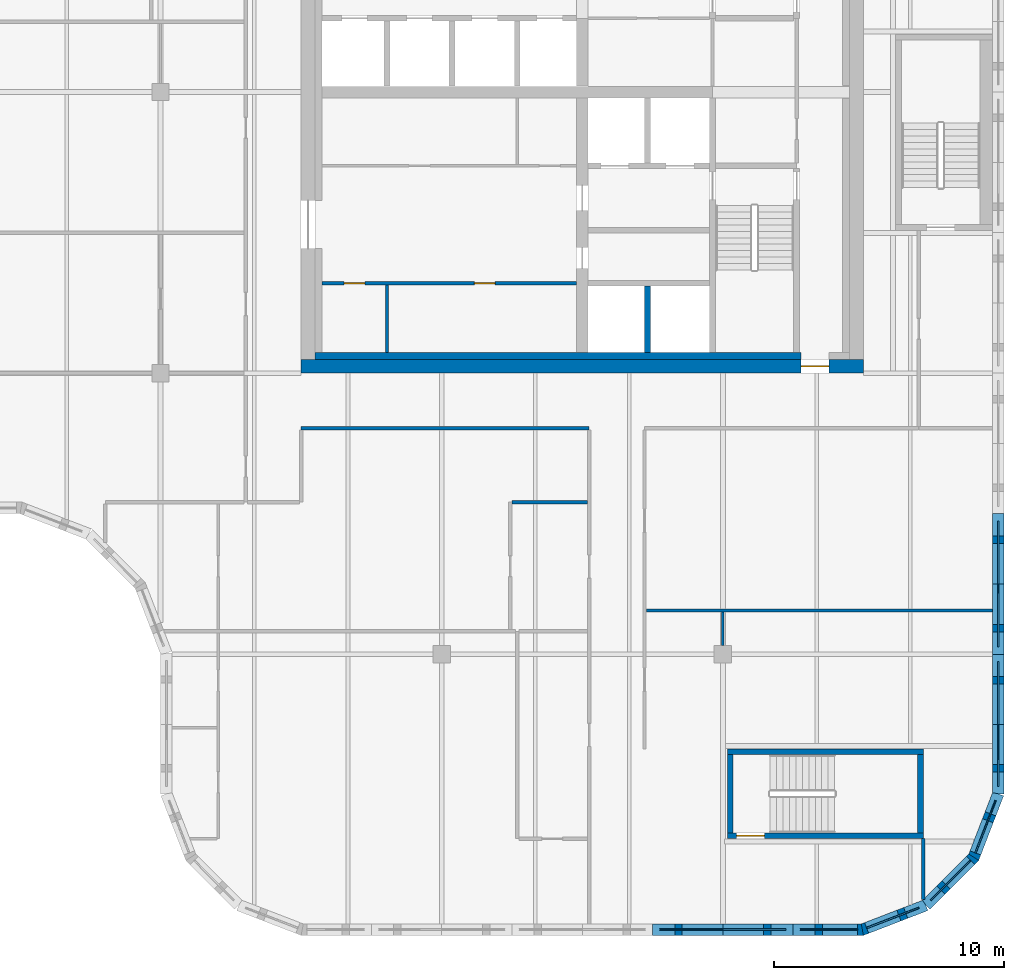
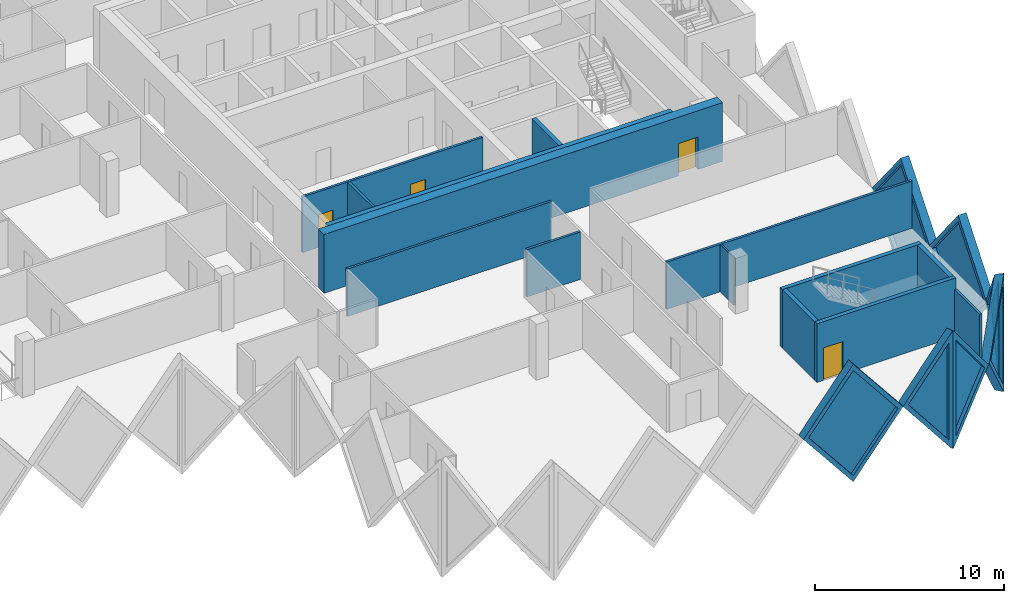
# One storey, part 5 of 12: 21 walls, 7 plates, 4 doors, 11 openings.
"""IFC4 building model written with IfcOpenShell, lengths in metres."""

from ifc_helpers import new_model, si_unit, direction, frame, frame_2d, origin, place, context, subcontext, project, spatial, polyline, rectangle, outline, extrude, faceted_brep, source, transform, mapped, material, layer, layer_set, type_object, element, fill, save


model = new_model("IFC4")

# Units and contexts
model_context = context("Model", 3, precision=1e-05, world=origin(), true_north=direction((0.0, 1.0)))
body_context = subcontext(model_context, "Body", "Model", "MODEL_VIEW")
ifc_project = project(units=[si_unit("LENGTHUNIT", "METRE"), si_unit("AREAUNIT", "SQUARE_METRE"), si_unit("VOLUMEUNIT", "CUBIC_METRE"), si_unit("PLANEANGLEUNIT", "RADIAN"), si_unit("MASSUNIT", "GRAM", prefix="KILO")], contexts=[model_context])

# Site, building, storey
site_placement = place(None, origin())
site = spatial("IfcSite", under=ifc_project, at=site_placement, CompositionType="ELEMENT")
building_placement = place(site_placement, origin())
building = spatial("IfcBuilding", under=site, at=building_placement, Name="Tessera Gate Towers", CompositionType="ELEMENT")
storey_placement = place(building_placement, frame((0.0, 0.0, 163.0)))
storey = spatial("IfcBuildingStorey", under=building, at=storey_placement, Name="L40", CompositionType="ELEMENT", Elevation=163.0)

# Wall
ifc_material_1 = material(Name="Concrete C40/50", Category="concrete")
ifc_layer_1 = layer(ifc_material_1, 0.25)
ifc_layer_set_1 = layer_set([ifc_layer_1], Name="CORE ENCLOSURE WALL 250")
wall_type_1 = type_object("IfcWallType", Name="CORE ENCLOSURE WALL 250", PredefinedType="SOLIDWALL", material=ifc_layer_set_1)
wall_1_placement = place(storey_placement, frame((45.52490234375, 25.300048828125, 0.0), z_axis=(0.0, 0.0, 1.0), x_axis=(0.0, 1.0, 0.0)))
element("IfcWall", 1, at=wall_1_placement, inside=storey, type_object=wall_type_1, Name="L40 shaft and stair enclosure wall", PredefinedType="SOLIDWALL", context=body_context, shape_type="SweptSolid", body=[
    extrude(rectangle(XDim=2.875, YDim=0.25, at=frame_2d((1.4375, 0.0))), origin(), (0.0, 0.0, 1.0), 3.800048828125),
])

# Wall, opening, door
wall_2_placement = place(storey_placement, frame((57.5, 4.324951171875, 0.0), z_axis=(0.0, 0.0, 1.0), x_axis=(-1.0, 0.0, 0.0)))
wall_2 = element("IfcWall", 2, at=wall_2_placement, inside=storey, type_object=wall_type_1, Name="L40 ST4 enclosure wall", PredefinedType="SOLIDWALL", context=body_context, shape_type="SweptSolid", body=[
    extrude(rectangle(XDim=8.5, YDim=0.25, at=frame_2d((4.25, 0.0))), origin(), (0.0, 0.0, 1.0), 3.800048828125),
])
shared_shape_1 = source(origin(), body_context, "Body", "SweptSolid", [
    extrude(rectangle(XDim=1.199951171875, YDim=2.10009765625, at=frame_2d((0.60009765625, 1.050048828125))), frame((0.0, 0.135009765625, 0.0), z_axis=(0.0, -1.0, 0.0), x_axis=(1.0, 0.0, 0.0)), (0.0, 0.0, 1.0), 0.27001953125),
])
opening_1_placement = place(wall_2_placement, frame((6.89990234375, 0.0, 0.0)))
opening_1 = element("IfcOpeningElement", 3, at=opening_1_placement, cuts=wall_2, Name="Opening SD-ST4-1", PredefinedType="OPENING", context=body_context, shape_type="MappedRepresentation", body=[
    mapped(shared_shape_1, transform((0.0, 0.0, 0.0), scale=1.0)),
])
ifc_material_2 = material(Name="Hollow steel fire door", Category="steel")
door_type_1 = type_object("IfcDoorType", Name="CORE DOOR SD 1200x2100", OperationType="NOTDEFINED", PredefinedType="DOOR", material=ifc_material_2)
shared_shape_2 = source(origin(), body_context, "Body", "SweptSolid", [
    extrude(rectangle(XDim=1.199951171875, YDim=2.10009765625, at=frame_2d((0.60009765625, 1.050048828125))), frame((0.0, 0.02490234375, 0.0), z_axis=(0.0, -1.0, 0.0), x_axis=(1.0, 0.0, 0.0)), (0.0, 0.0, 1.0), 0.050048828125),
])
door_1_placement = place(opening_1_placement, origin())
door_1 = element("IfcDoor", 4, at=door_1_placement, inside=storey, type_object=door_type_1, Name="Stair door", OperationType="SINGLE_SWING_RIGHT", OverallHeight=2.10009765625, OverallWidth=1.199951171875, PredefinedType="DOOR", context=body_context, shape_type="MappedRepresentation", body=[
    mapped(shared_shape_2, transform((0.0, 0.0, 0.0), scale=1.0)),
])
fill(opening_1, door_1)

# Walls
wall_3_placement = place(storey_placement, frame((49.125, 4.449951171875, 0.0), z_axis=(0.0, 0.0, 1.0), x_axis=(0.0, 1.0, 0.0)))
element("IfcWall", 5, at=wall_3_placement, inside=storey, type_object=wall_type_1, Name="L40 ST4 enclosure wall", PredefinedType="SOLIDWALL", context=body_context, shape_type="SweptSolid", body=[
    extrude(rectangle(XDim=3.400146484375, YDim=0.25, at=frame_2d((1.7001953125, 0.0))), origin(), (0.0, 0.0, 1.0), 3.800048828125),
])
wall_4_placement = place(storey_placement, frame((49.0, 7.97509765625, 0.0), z_axis=(0.0, 0.0, 1.0), x_axis=(1.0, 0.0, 0.0)))
element("IfcWall", 6, at=wall_4_placement, inside=storey, type_object=wall_type_1, Name="L40 ST4 enclosure wall", PredefinedType="SOLIDWALL", context=body_context, shape_type="SweptSolid", body=[
    extrude(rectangle(XDim=8.5, YDim=0.25, at=frame_2d((4.25, 0.0))), origin(), (0.0, 0.0, 1.0), 3.800048828125),
])
wall_5_placement = place(storey_placement, frame((57.375, 7.85009765625, 0.0), z_axis=(0.0, 0.0, 1.0), x_axis=(0.0, -1.0, 0.0)))
element("IfcWall", 7, at=wall_5_placement, inside=storey, type_object=wall_type_1, Name="L40 ST4 enclosure wall", PredefinedType="SOLIDWALL", context=body_context, shape_type="SweptSolid", body=[
    extrude(rectangle(XDim=3.400146484375, YDim=0.25, at=frame_2d((1.7001953125, 0.0))), origin(), (0.0, 0.0, 1.0), 3.800048828125),
])

# Wall, opening, door
ifc_material_3 = material(Name="Concrete C50/60", Category="concrete")
ifc_layer_2 = layer(ifc_material_3, 0.60009765625)
ifc_layer_set_2 = layer_set([ifc_layer_2], Name="CORE SHEAR WALL 600 C50/60")
wall_type_2 = type_object("IfcWallType", Name="CORE SHEAR WALL 600 C50/60", PredefinedType="SHEAR", material=ifc_layer_set_2)
wall_6_placement = place(storey_placement, frame((54.89990234375, 24.699951171875, 0.0), z_axis=(0.0, 0.0, 1.0), x_axis=(-1.0, 0.0, 0.0)))
wall_6 = element("IfcWall", 8, at=wall_6_placement, inside=storey, type_object=wall_type_2, Name="Core wall S L40", PredefinedType="SHEAR", context=body_context, shape_type="SweptSolid", body=[
    extrude(rectangle(XDim=24.39990234375, YDim=0.60009765625, at=frame_2d((12.199951171875, 0.0))), origin(), (0.0, 0.0, 1.0), 3.800048828125),
])
shared_shape_3 = source(origin(), body_context, "Body", "SweptSolid", [
    extrude(rectangle(XDim=1.199951171875, YDim=2.10009765625, at=frame_2d((0.60009765625, 1.050048828125))), frame((0.0, 0.31005859375, 0.0), z_axis=(0.0, -1.0, 0.0), x_axis=(1.0, 0.0, 0.0)), (0.0, 0.0, 1.0), 0.6201171875),
])
opening_2_placement = place(wall_6_placement, frame((1.5, 0.0, 0.0)))
opening_2 = element("IfcOpeningElement", 9, at=opening_2_placement, cuts=wall_6, Name="Opening ED-T1-26-01", PredefinedType="OPENING", context=body_context, shape_type="MappedRepresentation", body=[
    mapped(shared_shape_3, transform((0.0, 0.0, 0.0), scale=1.0)),
])
ifc_material_4 = material(Name="Hollow steel fire door", Category="steel")
door_type_2 = type_object("IfcDoorType", Name="CORE DOOR ED 1200x2100", OperationType="NOTDEFINED", PredefinedType="DOOR", material=ifc_material_4)
door_2_placement = place(opening_2_placement, origin())
door_2 = element("IfcDoor", 10, at=door_2_placement, inside=storey, type_object=door_type_2, Name="Core exit door", OperationType="SINGLE_SWING_LEFT", OverallHeight=2.10009765625, OverallWidth=1.199951171875, PredefinedType="DOOR", context=body_context, shape_type="MappedRepresentation", body=[
    mapped(shared_shape_2, transform((0.0, 0.0, 0.0), scale=1.0)),
])
fill(opening_2, door_2)

# Walls
ifc_material_5 = material(Name="Concrete C50/60", Category="concrete")
ifc_layer_3 = layer(ifc_material_5, 0.300048828125)
ifc_layer_set_3 = layer_set([ifc_layer_3], Name="CORE WALL THICKENING 300")
wall_type_3 = type_object("IfcWallType", Name="CORE WALL THICKENING 300", PredefinedType="SOLIDWALL", material=ifc_layer_set_3)
wall_7_placement = place(storey_placement, frame((31.10009765625, 25.14990234375, 0.0), z_axis=(0.0, 0.0, 1.0), x_axis=(1.0, 0.0, 0.0)))
element("IfcWall", 11, at=wall_7_placement, inside=storey, type_object=wall_type_3, Name="Core wall thickening S L40", PredefinedType="SOLIDWALL", context=body_context, shape_type="SweptSolid", body=[
    extrude(rectangle(XDim=21.099853515625, YDim=0.300048828125, at=frame_2d((10.5498046875, 0.0))), origin(), (0.0, 0.0, 1.0), 3.800048828125),
])
ifc_material_6 = material(Name="Gypsum board on steel studs, mineral wool", Category="steel")
ifc_layer_4 = layer(ifc_material_6, 0.14990234375)
ifc_layer_set_4 = layer_set([ifc_layer_4], Name="CORRIDOR WALL 150")
wall_type_4 = type_object("IfcWallType", Name="CORRIDOR WALL 150", PredefinedType="PARTITIONING", material=ifc_layer_set_4)
wall_8_placement = place(storey_placement, frame((57.5, 1.55908203125, 0.0), z_axis=(0.0, 0.0, 1.0), x_axis=(0.0, 1.0, 0.0)))
element("IfcWall", 12, at=wall_8_placement, inside=storey, type_object=wall_type_4, Name="T1-L40-PW-002", PredefinedType="PARTITIONING", context=body_context, shape_type="SweptSolid", body=[
    extrude(rectangle(XDim=2.640869140625, YDim=0.14990234375, at=frame_2d((1.3203125, 0.0))), origin(), (0.0, 0.0, 1.0), 3.06689453125),
])
wall_9_placement = place(storey_placement, frame((30.5, 22.0, 0.0), z_axis=(0.0, 0.0, 1.0), x_axis=(1.0, 0.0, 0.0)))
element("IfcWall", 13, at=wall_9_placement, inside=storey, type_object=wall_type_4, Name="T1-L40-PW-022", PredefinedType="PARTITIONING", context=body_context, shape_type="SweptSolid", body=[
    extrude(rectangle(XDim=12.5, YDim=0.14990234375, at=frame_2d((6.25, 0.0))), origin(), (0.0, 0.0, 1.0), 3.06689453125),
])
ifc_material_7 = material(Name="Gypsum board on steel studs", Category="steel")
ifc_layer_5 = layer(ifc_material_7, 0.10009765625)
ifc_layer_set_5 = layer_set([ifc_layer_5], Name="PARTITION 100")
wall_type_5 = type_object("IfcWallType", Name="PARTITION 100", PredefinedType="PARTITIONING", material=ifc_layer_set_5)
wall_10_placement = place(storey_placement, frame((48.800048828125, 12.574951171875, 0.0), z_axis=(0.0, 0.0, 1.0), x_axis=(0.0, 1.0, 0.0)))
element("IfcWall", 14, at=wall_10_placement, inside=storey, type_object=wall_type_5, Name="T1-L40-PW-009", PredefinedType="PARTITIONING", context=body_context, shape_type="SweptSolid", body=[
    extrude(rectangle(XDim=1.449951171875, YDim=0.10009765625, at=frame_2d((0.72509765625, 0.0))), origin(), (0.0, 0.0, 1.0), 3.06689453125),
])

# Wall, openings, doors
ifc_material_8 = material(Name="Gypsum board on steel studs", Category="steel")
ifc_layer_6 = layer(ifc_material_8, 0.14990234375)
ifc_layer_set_6 = layer_set([ifc_layer_6], Name="SERVICE ROOM WALL 150")
wall_type_6 = type_object("IfcWallType", Name="SERVICE ROOM WALL 150", PredefinedType="PARTITIONING", material=ifc_layer_set_6)
wall_11_placement = place(storey_placement, frame((42.449951171875, 28.300048828125, 0.0), z_axis=(0.0, 0.0, 1.0), x_axis=(-1.0, 0.0, 0.0)))
wall_11 = element("IfcWall", 15, at=wall_11_placement, inside=storey, type_object=wall_type_6, Name="L40 service room wall", PredefinedType="PARTITIONING", context=body_context, shape_type="SweptSolid", body=[
    extrude(rectangle(XDim=11.050048828125, YDim=0.14990234375, at=frame_2d((5.52490234375, 0.0))), origin(), (0.0, 0.0, 1.0), 3.60009765625),
])
shared_shape_4 = source(origin(), body_context, "Body", "SweptSolid", [
    extrude(rectangle(XDim=0.89990234375, YDim=2.10009765625, at=frame_2d((0.449951171875, 1.050048828125))), frame((0.0, 0.0849609375, 0.0), z_axis=(0.0, -1.0, 0.0), x_axis=(1.0, 0.0, 0.0)), (0.0, 0.0, 1.0), 0.169921875),
])
opening_3_placement = place(wall_11_placement, frame((9.1875, 0.0, 0.0)))
opening_3 = element("IfcOpeningElement", 16, at=opening_3_placement, cuts=wall_11, Name="Opening RD-T1-26-07", PredefinedType="OPENING", context=body_context, shape_type="MappedRepresentation", body=[
    mapped(shared_shape_4, transform((0.0, 0.0, 0.0), scale=1.0)),
])
opening_4_placement = place(wall_11_placement, frame((3.53759765625, 0.0, 0.0)))
opening_4 = element("IfcOpeningElement", 17, at=opening_4_placement, cuts=wall_11, Name="Opening RD-T1-26-08", PredefinedType="OPENING", context=body_context, shape_type="MappedRepresentation", body=[
    mapped(shared_shape_4, transform((0.0, 0.0, 0.0), scale=1.0)),
])
ifc_material_9 = material(Name="Hollow steel fire door", Category="steel")
door_type_3 = type_object("IfcDoorType", Name="CORE DOOR RD 900x2100", OperationType="NOTDEFINED", PredefinedType="DOOR", material=ifc_material_9)
shared_shape_5 = source(origin(), body_context, "Body", "SweptSolid", [
    extrude(rectangle(XDim=0.89990234375, YDim=2.10009765625, at=frame_2d((0.449951171875, 1.050048828125))), frame((0.0, 0.02490234375, 0.0), z_axis=(0.0, -1.0, 0.0), x_axis=(1.0, 0.0, 0.0)), (0.0, 0.0, 1.0), 0.050048828125),
])
door_3_placement = place(opening_3_placement, origin())
door_3 = element("IfcDoor", 18, at=door_3_placement, inside=storey, type_object=door_type_3, Name="Core room door", OperationType="SINGLE_SWING_RIGHT", OverallHeight=2.10009765625, OverallWidth=0.89990234375, PredefinedType="DOOR", context=body_context, shape_type="MappedRepresentation", body=[
    mapped(shared_shape_5, transform((0.0, 0.0, 0.0), scale=1.0)),
])
fill(opening_3, door_3)
door_4_placement = place(opening_4_placement, origin())
door_4 = element("IfcDoor", 19, at=door_4_placement, inside=storey, type_object=door_type_3, Name="Core room door", OperationType="SINGLE_SWING_LEFT", OverallHeight=2.10009765625, OverallWidth=0.89990234375, PredefinedType="DOOR", context=body_context, shape_type="MappedRepresentation", body=[
    mapped(shared_shape_5, transform((0.0, 0.0, 0.0), scale=1.0)),
])
fill(opening_4, door_4)

# Walls
wall_12_placement = place(storey_placement, frame((34.22509765625, 25.300048828125, 0.0), z_axis=(0.0, 0.0, 1.0), x_axis=(0.0, 1.0, 0.0)))
element("IfcWall", 20, at=wall_12_placement, inside=storey, type_object=wall_type_6, Name="L40 service room wall", PredefinedType="PARTITIONING", context=body_context, shape_type="SweptSolid", body=[
    extrude(rectangle(XDim=2.925048828125, YDim=0.14990234375, at=frame_2d((1.46240234375, 0.0))), origin(), (0.0, 0.0, 1.0), 3.60009765625),
])
ifc_material_10 = material(Name="Gypsum board on steel studs, mineral wool", Category="steel")
ifc_layer_7 = layer(ifc_material_10, 0.14990234375)
ifc_layer_set_7 = layer_set([ifc_layer_7], Name="TENANCY WALL 150")
wall_type_7 = type_object("IfcWallType", Name="TENANCY WALL 150", PredefinedType="PARTITIONING", material=ifc_layer_set_7)
wall_13_placement = place(storey_placement, frame((45.47607421875, 14.10009765625, 0.0), z_axis=(0.0, 0.0, 1.0), x_axis=(1.0, 0.0, 0.0)))
element("IfcWall", 21, at=wall_13_placement, inside=storey, type_object=wall_type_7, Name="T1-L40-PW-014", PredefinedType="PARTITIONING", context=body_context, shape_type="SweptSolid", body=[
    extrude(rectangle(XDim=15.02392578125, YDim=0.14990234375, at=frame_2d((7.511962890625, 0.0))), origin(), (0.0, 0.0, 1.0), 3.06689453125),
])
wall_14_placement = place(storey_placement, frame((39.65087890625, 18.800048828125, 0.0), z_axis=(0.0, 0.0, 1.0), x_axis=(1.0, 0.0, 0.0)))
element("IfcWall", 22, at=wall_14_placement, inside=storey, type_object=wall_type_7, Name="T1-L40-PW-020", PredefinedType="PARTITIONING", context=body_context, shape_type="SweptSolid", body=[
    extrude(rectangle(XDim=3.273193359375, YDim=0.14990234375, at=frame_2d((1.63671875, 0.0))), origin(), (0.0, 0.0, 1.0), 3.06689453125),
])

# Wall, opening, plate
ifc_material_11 = material(Name="Precast concrete C60/75 white", Category="concrete")
ifc_layer_8 = layer(ifc_material_11, 0.5)
ifc_layer_set_8 = layer_set([ifc_layer_8], Name="TS1 tessera")
wall_type_8 = type_object("IfcWallType", Name="TS1 tessera", PredefinedType="SOLIDWALL", material=ifc_layer_set_8)
shared_shape_6 = source(origin(), body_context, "Body", "Brep", [
    faceted_brep([(3.00341796875, -0.25, 0.0), (6.053466796875, -0.25, 3.800048828125), (3.00341796875, -0.25, 7.60009765625), (0.0, -0.25, 3.800048828125), (0.046630859375, 0.25, 3.85888671875), (3.00341796875, 0.25, 7.60009765625), (6.053466796875, 0.25, 3.800048828125), (3.00341796875, 0.25, 0.0), (0.046630859375, 0.25, 3.7412109375), (0.0, 0.0, 3.800048828125)], [[[0, 1, 2, 3]], [[4, 5, 6, 7, 8]], [[7, 6, 1, 0]], [[6, 5, 2, 1]], [[5, 4, 9, 3, 2]], [[8, 7, 0, 3, 9]], [[8, 9, 4]]]),
])
wall_15_placement = place(storey_placement, frame((60.75, 6.146484375, -3.800048828125), z_axis=(0.0, 0.0, 1.0), x_axis=(0.0, 1.0, 0.0)))
wall_15 = element("IfcWall", 23, at=wall_15_placement, inside=storey, type_object=wall_type_8, Name="Precast tessera T1 TS1-0670", PredefinedType="SOLIDWALL", context=body_context, shape_type="MappedRepresentation", body=[
    mapped(shared_shape_6, transform((0.0, 0.0, 0.0), scale=1.0)),
])
shared_shape_7 = source(origin(), body_context, "Body", "SweptSolid", [
    extrude(outline(polyline([(3.0048828125, 0.4013671875), (5.73291015625, 3.800048828125), (3.0048828125, 7.19873046875), (0.318603515625, 3.800048828125), (3.0048828125, 0.4013671875)])), frame((0.0, 0.260009765625, 0.0), z_axis=(0.0, -1.0, 0.0), x_axis=(1.0, 0.0, 0.0)), (0.0, 0.0, 1.0), 0.52001953125),
])
opening_5_placement = place(wall_15_placement, origin())
opening_5 = element("IfcOpeningElement", 24, at=opening_5_placement, cuts=wall_15, Name="Opening T1-PL2-1372", PredefinedType="OPENING", context=body_context, shape_type="MappedRepresentation", body=[
    mapped(shared_shape_7, transform((0.0, 0.0, 0.0), scale=1.0)),
])
ifc_material_12 = material(Name="Low-e laminated glass", Category="glass")
ifc_layer_9 = layer(ifc_material_12, 0.06005859375)
ifc_layer_set_9 = layer_set([ifc_layer_9], Name="PL2 rhombic pane")
plate_type = type_object("IfcPlateType", Name="PL2 rhombic pane", PredefinedType="SHEET", material=ifc_layer_set_9)
shared_shape_8 = source(origin(), body_context, "Body", "SweptSolid", [
    extrude(outline(polyline([(3.0048828125, 0.4013671875), (5.73291015625, 3.800048828125), (3.0048828125, 7.19873046875), (0.318603515625, 3.800048828125), (3.0048828125, 0.4013671875)])), frame((0.0, 0.030029296875, 0.0), z_axis=(0.0, -1.0, 0.0), x_axis=(1.0, 0.0, 0.0)), (0.0, 0.0, 1.0), 0.06005859375),
])
plate_1_placement = place(opening_5_placement, origin())
plate_1 = element("IfcPlate", 25, at=plate_1_placement, inside=storey, type_object=plate_type, Name="Glass pane T1 PL2-1372", PredefinedType="SHEET", context=body_context, shape_type="MappedRepresentation", body=[
    mapped(shared_shape_8, transform((0.0, 0.0, 0.0), scale=1.0)),
])
fill(opening_5, plate_1)

shared_shape_9 = source(origin(), body_context, "Body", "SweptSolid", [
    extrude(outline(polyline([(3.050048828125, 0.0), (6.10009765625, 3.800048828125), (3.050048828125, 7.60009765625), (0.0, 3.800048828125), (3.050048828125, 0.0)])), frame((0.0, 0.25, 0.0), z_axis=(0.0, -1.0, 0.0), x_axis=(1.0, 0.0, 0.0)), (0.0, 0.0, 1.0), 0.5),
])
wall_16_placement = place(storey_placement, frame((45.75, 0.25, -3.800048828125), z_axis=(0.0, 0.0, 1.0), x_axis=(1.0, 0.0, 0.0)))
wall_16 = element("IfcWall", 26, at=wall_16_placement, inside=storey, type_object=wall_type_8, Name="Precast tessera T1 TS1-0669", PredefinedType="SOLIDWALL", context=body_context, shape_type="MappedRepresentation", body=[
    mapped(shared_shape_9, transform((0.0, 0.0, 0.0), scale=1.0)),
])
shared_shape_10 = source(origin(), body_context, "Body", "SweptSolid", [
    extrude(outline(polyline([(3.050048828125, 0.3994140625), (5.779541015625, 3.800048828125), (3.050048828125, 7.20068359375), (0.320556640625, 3.800048828125), (3.050048828125, 0.3994140625)])), frame((0.0, 0.260009765625, 0.0), z_axis=(0.0, -1.0, 0.0), x_axis=(1.0, 0.0, 0.0)), (0.0, 0.0, 1.0), 0.52001953125),
])
opening_6_placement = place(wall_16_placement, origin())
opening_6 = element("IfcOpeningElement", 27, at=opening_6_placement, cuts=wall_16, Name="Opening T1-PL2-1367", PredefinedType="OPENING", context=body_context, shape_type="MappedRepresentation", body=[
    mapped(shared_shape_10, transform((0.0, 0.0, 0.0), scale=1.0)),
])
shared_shape_11 = source(origin(), body_context, "Body", "SweptSolid", [
    extrude(outline(polyline([(3.050048828125, 0.3994140625), (5.779541015625, 3.800048828125), (3.050048828125, 7.20068359375), (0.320556640625, 3.800048828125), (3.050048828125, 0.3994140625)])), frame((0.0, 0.030029296875, 0.0), z_axis=(0.0, -1.0, 0.0), x_axis=(1.0, 0.0, 0.0)), (0.0, 0.0, 1.0), 0.06005859375),
])
plate_2_placement = place(opening_6_placement, origin())
plate_2 = element("IfcPlate", 28, at=plate_2_placement, inside=storey, type_object=plate_type, Name="Glass pane T1 PL2-1367", PredefinedType="SHEET", context=body_context, shape_type="MappedRepresentation", body=[
    mapped(shared_shape_11, transform((0.0, 0.0, 0.0), scale=1.0)),
])
fill(opening_6, plate_2)

wall_17_placement = place(storey_placement, frame((60.75, 12.199951171875, -3.800048828125), z_axis=(0.0, 0.0, 1.0), x_axis=(0.0, 1.0, 0.0)))
wall_17 = element("IfcWall", 29, at=wall_17_placement, inside=storey, type_object=wall_type_8, Name="Precast tessera T1 TS1-0671", PredefinedType="SOLIDWALL", context=body_context, shape_type="MappedRepresentation", body=[
    mapped(shared_shape_9, transform((0.0, 0.0, 0.0), scale=1.0)),
])
opening_7_placement = place(wall_17_placement, origin())
opening_7 = element("IfcOpeningElement", 30, at=opening_7_placement, cuts=wall_17, Name="Opening T1-PL2-1373", PredefinedType="OPENING", context=body_context, shape_type="MappedRepresentation", body=[
    mapped(shared_shape_10, transform((0.0, 0.0, 0.0), scale=1.0)),
])
plate_3_placement = place(opening_7_placement, origin())
plate_3 = element("IfcPlate", 31, at=plate_3_placement, inside=storey, type_object=plate_type, Name="Glass pane T1 PL2-1373", PredefinedType="SHEET", context=body_context, shape_type="MappedRepresentation", body=[
    mapped(shared_shape_11, transform((0.0, 0.0, 0.0), scale=1.0)),
])
fill(opening_7, plate_3)

ifc_material_13 = material(Name="Precast concrete C60/75 white", Category="concrete")
ifc_layer_10 = layer(ifc_material_13, 0.5)
ifc_layer_set_10 = layer_set([ifc_layer_10], Name="TS3 corner tessera")
wall_type_9 = type_object("IfcWallType", Name="TS3 corner tessera", PredefinedType="SOLIDWALL", material=ifc_layer_set_10)
shared_shape_12 = source(origin(), body_context, "Body", "Brep", [
    faceted_brep([(3.00341796875, -0.25, 0.0), (3.050048828125, -0.25, 0.06005859375), (3.050048828125, -0.25, 7.5400390625), (3.00341796875, -0.25, 7.60009765625), (0.0, -0.25, 3.800048828125), (0.0, 0.25, 3.800048828125), (2.956787109375, 0.25, 7.541259765625), (2.956787109375, 0.25, 0.058837890625), (3.00341796875, 0.000244140625, 0.0), (3.00341796875, 0.000244140625, 7.60009765625)], [[[0, 1, 2, 3, 4]], [[5, 6, 7]], [[1, 0, 8]], [[9, 3, 2]], [[6, 5, 4, 3, 9]], [[5, 7, 8, 0, 4]], [[1, 8, 7, 6, 9, 2]]]),
])
wall_18_placement = place(storey_placement, frame((51.85009765625, 0.25, -3.800048828125), z_axis=(0.0, 0.0, 1.0), x_axis=(1.0, 0.0, 0.0)))
wall_18 = element("IfcWall", 32, at=wall_18_placement, inside=storey, type_object=wall_type_9, Name="Precast corner tessera T1 TS3-0915", PredefinedType="SOLIDWALL", context=body_context, shape_type="MappedRepresentation", body=[
    mapped(shared_shape_12, transform((0.0, 0.0, 0.0), scale=1.0)),
])
shared_shape_13 = source(origin(), body_context, "Body", "SweptSolid", [
    extrude(outline(polyline([(2.803466796875, 6.94384765625), (0.318603515625, 3.800048828125), (2.803466796875, 0.65625), (2.803466796875, 6.94384765625)])), frame((0.0, 0.260009765625, 0.0), z_axis=(0.0, -1.0, 0.0), x_axis=(1.0, 0.0, 0.0)), (0.0, 0.0, 1.0), 0.52001953125),
])
opening_8_placement = place(wall_18_placement, origin())
opening_8 = element("IfcOpeningElement", 33, at=opening_8_placement, cuts=wall_18, Name="Opening T1-PL2-1368", PredefinedType="OPENING", context=body_context, shape_type="MappedRepresentation", body=[
    mapped(shared_shape_13, transform((0.0, 0.0, 0.0), scale=1.0)),
])
shared_shape_14 = source(origin(), body_context, "Body", "SweptSolid", [
    extrude(outline(polyline([(2.803466796875, 6.94384765625), (0.318603515625, 3.800048828125), (2.803466796875, 0.65625), (2.803466796875, 6.94384765625)])), frame((0.0, 0.030029296875, 0.0), z_axis=(0.0, -1.0, 0.0), x_axis=(1.0, 0.0, 0.0)), (0.0, 0.0, 1.0), 0.06005859375),
])
plate_4_placement = place(opening_8_placement, origin())
plate_4 = element("IfcPlate", 34, at=plate_4_placement, inside=storey, type_object=plate_type, Name="Glass pane T1 PL2-1368", PredefinedType="SHEET", context=body_context, shape_type="MappedRepresentation", body=[
    mapped(shared_shape_14, transform((0.0, 0.0, 0.0), scale=1.0)),
])
fill(opening_8, plate_4)

shared_shape_15 = source(origin(), body_context, "Body", "Brep", [
    faceted_brep([(0.046630859375, -0.25, 0.0), (2.9970703125, -0.25, 3.800048828125), (0.046630859375, -0.25, 7.60009765625), (0.0, -0.25, 7.541259765625), (0.0, -0.25, 0.058837890625), (0.09326171875, 0.25, 7.5400390625), (2.9443359375, 0.25, 3.8681640625), (2.9443359375, 0.25, 3.73193359375), (0.09326171875, 0.25, 0.06005859375), (2.9970703125, 0.00048828125, 3.800048828125), (0.046630859375, 0.0, 0.0), (0.046630859375, 0.0, 7.60009765625)], [[[0, 1, 2, 3, 4]], [[5, 6, 7, 8]], [[8, 7, 9, 1, 0, 10]], [[6, 5, 11, 2, 1, 9]], [[3, 2, 11]], [[10, 0, 4]], [[8, 10, 4, 3, 11, 5]], [[9, 7, 6]]]),
])
wall_19_placement = place(storey_placement, frame((54.81005859375, 0.233154296875, -3.800048828125), z_axis=(0.0, 0.0, 1.0), x_axis=(0.932990326376, 0.359901446078, 0.0)))
wall_19 = element("IfcWall", 35, at=wall_19_placement, inside=storey, type_object=wall_type_9, Name="Precast corner tessera T1 TS3-0916", PredefinedType="SOLIDWALL", context=body_context, shape_type="MappedRepresentation", body=[
    mapped(shared_shape_15, transform((0.0, 0.0, 0.0), scale=1.0)),
])
shared_shape_16 = source(origin(), body_context, "Body", "SweptSolid", [
    extrude(outline(polyline([(0.24658203125, 0.665283203125), (2.6806640625, 3.800048828125), (0.24658203125, 6.934814453125), (0.24658203125, 0.665283203125)])), frame((0.0, 0.260009765625, 0.0), z_axis=(0.0, -1.0, 0.0), x_axis=(1.0, 0.0, 0.0)), (0.0, 0.0, 1.0), 0.52001953125),
])
opening_9_placement = place(wall_19_placement, origin())
opening_9 = element("IfcOpeningElement", 36, at=opening_9_placement, cuts=wall_19, Name="Opening T1-PL2-1369", PredefinedType="OPENING", context=body_context, shape_type="MappedRepresentation", body=[
    mapped(shared_shape_16, transform((0.0, 0.0, 0.0), scale=1.0)),
])
shared_shape_17 = source(origin(), body_context, "Body", "SweptSolid", [
    extrude(outline(polyline([(0.24658203125, 0.665283203125), (2.6806640625, 3.800048828125), (0.24658203125, 6.934814453125), (0.24658203125, 0.665283203125)])), frame((0.0, 0.030029296875, 0.0), z_axis=(0.0, -1.0, 0.0), x_axis=(1.0, 0.0, 0.0)), (0.0, 0.0, 1.0), 0.06005859375),
])
plate_5_placement = place(opening_9_placement, origin())
plate_5 = element("IfcPlate", 37, at=plate_5_placement, inside=storey, type_object=plate_type, Name="Glass pane T1 PL2-1369", PredefinedType="SHEET", context=body_context, shape_type="MappedRepresentation", body=[
    mapped(shared_shape_17, transform((0.0, 0.0, 0.0), scale=1.0)),
])
fill(opening_9, plate_5)

shared_shape_18 = source(origin(), body_context, "Body", "Brep", [
    faceted_brep([(2.944091796875, -0.25, 0.0), (2.9970703125, -0.25, 0.068115234375), (2.9970703125, -0.25, 7.531982421875), (2.944091796875, -0.25, 7.60009765625), (0.0, -0.25, 3.800048828125), (0.052978515625, 0.25, 3.868408203125), (2.89111328125, 0.25, 7.531982421875), (2.89111328125, 0.25, 0.068115234375), (0.052978515625, 0.25, 3.731689453125), (2.944091796875, 0.000244140625, 0.0), (2.944091796875, 0.000244140625, 7.60009765625), (0.0, 0.0, 3.800048828125)], [[[0, 1, 2, 3, 4]], [[5, 6, 7, 8]], [[1, 0, 9]], [[10, 3, 2]], [[6, 5, 11, 4, 3, 10]], [[8, 7, 9, 0, 4, 11]], [[8, 11, 5]], [[1, 9, 7, 6, 10, 2]]]),
])
wall_20_placement = place(storey_placement, frame((57.606201171875, 1.31201171875, -3.800048828125), z_axis=(0.0, 0.0, 1.0), x_axis=(0.707147509625, 0.707066050402, 0.0)))
wall_20 = element("IfcWall", 38, at=wall_20_placement, inside=storey, type_object=wall_type_9, Name="Precast corner tessera T1 TS3-0917", PredefinedType="SOLIDWALL", context=body_context, shape_type="MappedRepresentation", body=[
    mapped(shared_shape_18, transform((0.0, 0.0, 0.0), scale=1.0)),
])
shared_shape_19 = source(origin(), body_context, "Body", "SweptSolid", [
    extrude(outline(polyline([(2.744140625, 6.933837890625), (0.316162109375, 3.800048828125), (2.744140625, 0.666259765625), (2.744140625, 6.933837890625)])), frame((0.0, 0.260009765625, 0.0), z_axis=(0.0, -1.0, 0.0), x_axis=(1.0, 0.0, 0.0)), (0.0, 0.0, 1.0), 0.52001953125),
])
opening_10_placement = place(wall_20_placement, origin())
opening_10 = element("IfcOpeningElement", 39, at=opening_10_placement, cuts=wall_20, Name="Opening T1-PL2-1370", PredefinedType="OPENING", context=body_context, shape_type="MappedRepresentation", body=[
    mapped(shared_shape_19, transform((0.0, 0.0, 0.0), scale=1.0)),
])
shared_shape_20 = source(origin(), body_context, "Body", "SweptSolid", [
    extrude(outline(polyline([(2.744140625, 6.933837890625), (0.316162109375, 3.800048828125), (2.744140625, 0.666259765625), (2.744140625, 6.933837890625)])), frame((0.0, 0.030029296875, 0.0), z_axis=(0.0, -1.0, 0.0), x_axis=(1.0, 0.0, 0.0)), (0.0, 0.0, 1.0), 0.06005859375),
])
plate_6_placement = place(opening_10_placement, origin())
plate_6 = element("IfcPlate", 40, at=plate_6_placement, inside=storey, type_object=plate_type, Name="Glass pane T1 PL2-1370", PredefinedType="SHEET", context=body_context, shape_type="MappedRepresentation", body=[
    mapped(shared_shape_20, transform((0.0, 0.0, 0.0), scale=1.0)),
])
fill(opening_10, plate_6)

shared_shape_21 = source(origin(), body_context, "Body", "Brep", [
    faceted_brep([(0.052978515625, -0.25, 0.0), (3.00341796875, -0.25, 3.800048828125), (0.052978515625, -0.25, 7.60009765625), (0.0, -0.25, 7.53173828125), (0.0, -0.25, 0.068359375), (0.10595703125, 0.25, 7.531982421875), (2.95703125, 0.25, 3.85986328125), (2.95703125, 0.25, 3.740234375), (0.10595703125, 0.25, 0.068115234375), (3.00341796875, 0.00048828125, 3.800048828125), (0.052978515625, 0.0, 0.0), (0.052978515625, 0.0, 7.60009765625)], [[[0, 1, 2, 3, 4]], [[5, 6, 7, 8]], [[8, 7, 9, 1, 0, 10]], [[6, 5, 11, 2, 1, 9]], [[3, 2, 11]], [[10, 0, 4]], [[8, 10, 4, 3, 11, 5]], [[9, 7, 6]]]),
])
wall_21_placement = place(storey_placement, frame((59.6689453125, 3.34423828125, -3.800048828125), z_axis=(0.0, 0.0, 1.0), x_axis=(0.35992665181, 0.932980602862, 0.0)))
wall_21 = element("IfcWall", 41, at=wall_21_placement, inside=storey, type_object=wall_type_9, Name="Precast corner tessera T1 TS3-0918", PredefinedType="SOLIDWALL", context=body_context, shape_type="MappedRepresentation", body=[
    mapped(shared_shape_21, transform((0.0, 0.0, 0.0), scale=1.0)),
])
shared_shape_22 = source(origin(), body_context, "Body", "SweptSolid", [
    extrude(outline(polyline([(0.2529296875, 0.665283203125), (2.68701171875, 3.800048828125), (0.2529296875, 6.934814453125), (0.2529296875, 0.665283203125)])), frame((0.0, 0.260009765625, 0.0), z_axis=(0.0, -1.0, 0.0), x_axis=(1.0, 0.0, 0.0)), (0.0, 0.0, 1.0), 0.52001953125),
])
opening_11_placement = place(wall_21_placement, origin())
opening_11 = element("IfcOpeningElement", 42, at=opening_11_placement, cuts=wall_21, Name="Opening T1-PL2-1371", PredefinedType="OPENING", context=body_context, shape_type="MappedRepresentation", body=[
    mapped(shared_shape_22, transform((0.0, 0.0, 0.0), scale=1.0)),
])
shared_shape_23 = source(origin(), body_context, "Body", "SweptSolid", [
    extrude(outline(polyline([(0.2529296875, 0.665283203125), (2.68701171875, 3.800048828125), (0.2529296875, 6.934814453125), (0.2529296875, 0.665283203125)])), frame((0.0, 0.030029296875, 0.0), z_axis=(0.0, -1.0, 0.0), x_axis=(1.0, 0.0, 0.0)), (0.0, 0.0, 1.0), 0.06005859375),
])
plate_7_placement = place(opening_11_placement, origin())
plate_7 = element("IfcPlate", 43, at=plate_7_placement, inside=storey, type_object=plate_type, Name="Glass pane T1 PL2-1371", PredefinedType="SHEET", context=body_context, shape_type="MappedRepresentation", body=[
    mapped(shared_shape_23, transform((0.0, 0.0, 0.0), scale=1.0)),
])
fill(opening_11, plate_7)

save(model, "model.ifc")
